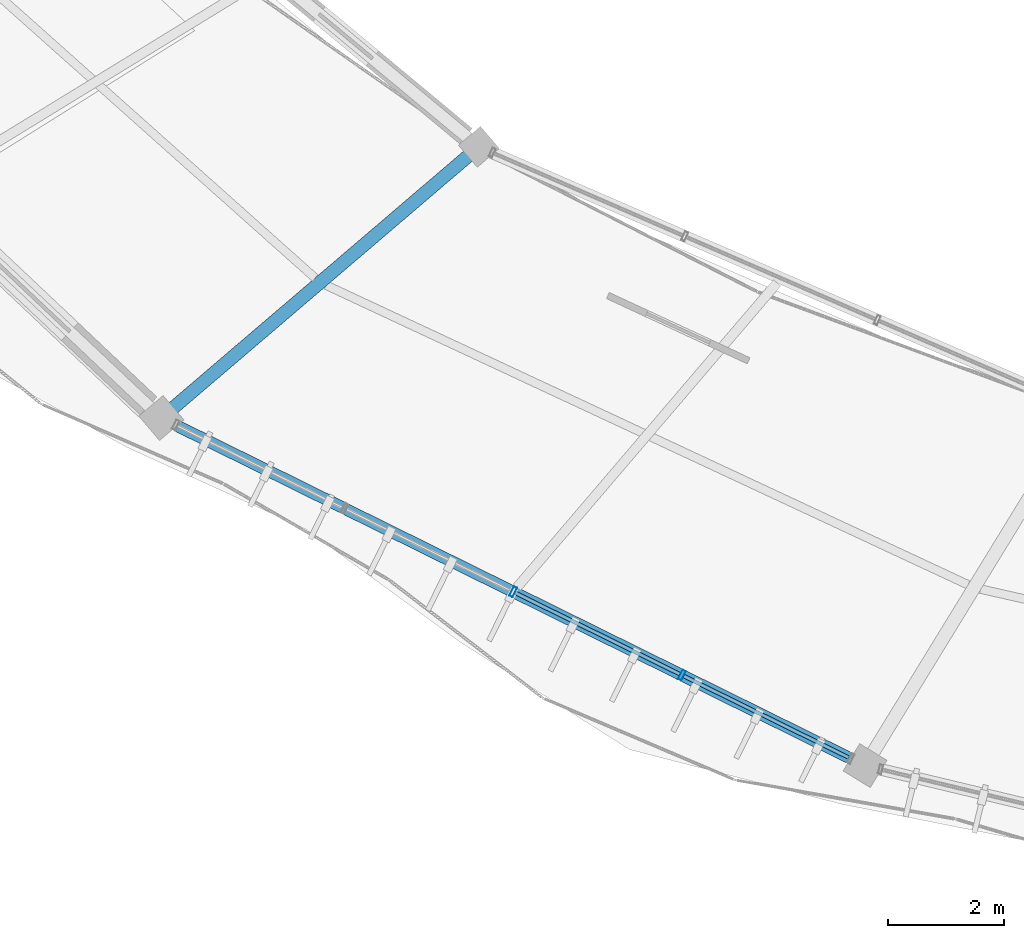
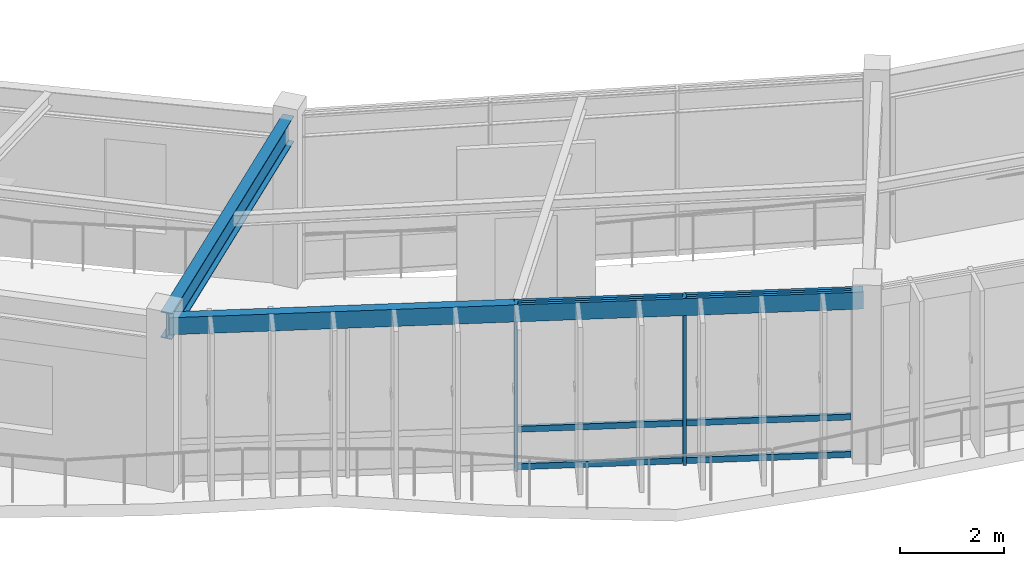
# One storey, part 3 of 79: 8 members, 2 beams, 1 element without a shape of its own.
"""IFC4 building model written with IfcOpenShell, lengths in metres."""

from ifc_helpers import new_model, si_unit, direction, frame, origin, origin_2d, place, context, subcontext, project, spatial, hollow_rectangle, i_section, extrude, material, material_profile, profile_set, type_object, element, aggregate, save


model = new_model("IFC4")

# Units and contexts
model_context = context("Model", 3, precision=1e-05, world=origin(), true_north=direction((0.0, 1.0)))
body_context = subcontext(model_context, "Body", "Model", "MODEL_VIEW")
ifc_project = project(units=[si_unit("LENGTHUNIT", "METRE"), si_unit("AREAUNIT", "SQUARE_METRE"), si_unit("VOLUMEUNIT", "CUBIC_METRE"), si_unit("PLANEANGLEUNIT", "RADIAN"), si_unit("MASSUNIT", "GRAM", prefix="KILO"), si_unit("THERMODYNAMICTEMPERATUREUNIT", "KELVIN"), si_unit("POWERUNIT", "WATT")], contexts=[model_context])

# Site, building, storey
site_placement = place(None, origin())
site = spatial("IfcSite", under=ifc_project, at=site_placement, CompositionType="ELEMENT")
building_placement = place(site_placement, origin())
building = spatial("IfcBuilding", under=site, at=building_placement, Name="Darbajah Civic Hall", CompositionType="ELEMENT")
storey_placement = place(building_placement, frame((0.0, 0.0, 22.199951171875)))
storey = spatial("IfcBuildingStorey", under=building, at=storey_placement, Name="L05", CompositionType="ELEMENT", Elevation=22.199951171875)

# Curtain wall, members
ifc_material_1 = material(Name="Anodised Bronze Aluminium and Low-E Glazing", Category="aluminium")
curtain_wall_type = type_object("IfcCurtainWallType", Name="Unitised Curtain Wall CW-83 13000x3900", PredefinedType="USERDEFINED", material=ifc_material_1)
curtain_wall_placement = place(storey_placement, origin())
curtain_wall = element("IfcCurtainWall", 1, at=curtain_wall_placement, inside=storey, type_object=curtain_wall_type, Name="L05 unitised curtain wall CW-V1O-L05-12", ObjectType="UNITISED CURTAIN WALL", PredefinedType="USERDEFINED")
ifc_material_2 = material(Name="Anodised Bronze Aluminium", Category="aluminium")
ifc_material_profile_1 = material_profile(ifc_material_2, hollow_rectangle(XDim=0.06494140625, YDim=0.179931640625, WallThickness=0.00390625, at=origin_2d()), Name="ALU MULLION 65x180")
ifc_profile_set_1 = profile_set([ifc_material_profile_1], Name="Anodised Bronze Aluminium")
member_type_1 = type_object("IfcMemberType", Name="ALU MULLION 65x180", PredefinedType="MULLION", material=ifc_profile_set_1)
member_1_placement = place(storey_placement, frame((56.385986328125, 67.644287109375, 0.0), z_axis=(0.0, 0.0, 1.0), x_axis=(0.89656374724, -0.442914717678, 0.0)))
member_1 = element("IfcMember", 2, at=member_1_placement, type_object=member_type_1, Name="CW-V1O-L05-12 mullion 3", PredefinedType="MULLION", context=body_context, shape_type="SweptSolid", body=[
    extrude(hollow_rectangle(XDim=0.06494140625, YDim=0.179931640625, WallThickness=0.00390625, at=origin_2d()), origin(), (0.0, 0.0, 1.0), 3.920166015625),
])
member_2_placement = place(storey_placement, frame((59.295166015625, 66.20703125, 0.0), z_axis=(0.0, 0.0, 1.0), x_axis=(0.89656374724, -0.442914717678, 0.0)))
member_2 = element("IfcMember", 3, at=member_2_placement, type_object=member_type_1, Name="CW-V1O-L05-12 mullion 4", PredefinedType="MULLION", context=body_context, shape_type="SweptSolid", body=[
    extrude(hollow_rectangle(XDim=0.06494140625, YDim=0.179931640625, WallThickness=0.00390625, at=origin_2d()), origin(), (0.0, 0.0, 1.0), 3.920166015625),
])
ifc_material_profile_2 = material_profile(ifc_material_2, hollow_rectangle(XDim=0.06494140625, YDim=0.139892578125, WallThickness=0.00341796875, at=origin_2d()), Name="ALU TRANSOM 65x140")
ifc_profile_set_2 = profile_set([ifc_material_profile_2], Name="Anodised Bronze Aluminium")
member_type_2 = type_object("IfcMemberType", Name="ALU TRANSOM 65x140", PredefinedType="USERDEFINED", material=ifc_profile_set_2)
member_3_placement = place(storey_placement, frame((56.419677734375, 67.627685546875, 0.070068359375), z_axis=(0.896542909265, -0.44295689615, 0.0), x_axis=(0.44295689615, 0.896542909265, 0.0)))
member_3 = element("IfcMember", 4, at=member_3_placement, type_object=member_type_2, Name="CW-V1O-L05-12 transom 3.1", ObjectType="TRANSOM", PredefinedType="USERDEFINED", context=body_context, shape_type="SweptSolid", body=[
    extrude(hollow_rectangle(XDim=0.06494140625, YDim=0.139892578125, WallThickness=0.00341796875, at=origin_2d()), origin(), (0.0, 0.0, 1.0), 3.169677734375),
])
member_4_placement = place(storey_placement, frame((56.419677734375, 67.627685546875, 0.949951171875), z_axis=(0.896542909265, -0.44295689615, 0.0), x_axis=(0.44295689615, 0.896542909265, 0.0)))
member_4 = element("IfcMember", 5, at=member_4_placement, type_object=member_type_2, Name="CW-V1O-L05-12 transom 3.2", ObjectType="TRANSOM", PredefinedType="USERDEFINED", context=body_context, shape_type="SweptSolid", body=[
    extrude(hollow_rectangle(XDim=0.06494140625, YDim=0.139892578125, WallThickness=0.00341796875, at=origin_2d()), origin(), (0.0, 0.0, 1.0), 3.169677734375),
])
member_5_placement = place(storey_placement, frame((56.419677734375, 67.627685546875, 3.85009765625), z_axis=(0.896542909265, -0.44295689615, 0.0), x_axis=(0.44295689615, 0.896542909265, 0.0)))
member_5 = element("IfcMember", 6, at=member_5_placement, type_object=member_type_2, Name="CW-V1O-L05-12 transom 3.3", ObjectType="TRANSOM", PredefinedType="USERDEFINED", context=body_context, shape_type="SweptSolid", body=[
    extrude(hollow_rectangle(XDim=0.06494140625, YDim=0.139892578125, WallThickness=0.00341796875, at=origin_2d()), origin(), (0.0, 0.0, 1.0), 3.169677734375),
])
member_6_placement = place(storey_placement, frame((59.32861328125, 66.1904296875, 0.070068359375), z_axis=(0.896558020364, -0.442926310035, 0.0), x_axis=(0.442926310035, 0.896558020364, 0.0)))
member_6 = element("IfcMember", 7, at=member_6_placement, type_object=member_type_2, Name="CW-V1O-L05-12 transom 4.1", ObjectType="TRANSOM", PredefinedType="USERDEFINED", context=body_context, shape_type="SweptSolid", body=[
    extrude(hollow_rectangle(XDim=0.06494140625, YDim=0.139892578125, WallThickness=0.00341796875, at=origin_2d()), origin(), (0.0, 0.0, 1.0), 3.169921875),
])
member_7_placement = place(storey_placement, frame((59.32861328125, 66.1904296875, 0.949951171875), z_axis=(0.896558020364, -0.442926310035, 0.0), x_axis=(0.442926310035, 0.896558020364, 0.0)))
member_7 = element("IfcMember", 8, at=member_7_placement, type_object=member_type_2, Name="CW-V1O-L05-12 transom 4.2", ObjectType="TRANSOM", PredefinedType="USERDEFINED", context=body_context, shape_type="SweptSolid", body=[
    extrude(hollow_rectangle(XDim=0.06494140625, YDim=0.139892578125, WallThickness=0.00341796875, at=origin_2d()), origin(), (0.0, 0.0, 1.0), 3.169921875),
])
member_8_placement = place(storey_placement, frame((59.32861328125, 66.1904296875, 3.85009765625), z_axis=(0.896558020364, -0.442926310035, 0.0), x_axis=(0.442926310035, 0.896558020364, 0.0)))
member_8 = element("IfcMember", 9, at=member_8_placement, type_object=member_type_2, Name="CW-V1O-L05-12 transom 4.3", ObjectType="TRANSOM", PredefinedType="USERDEFINED", context=body_context, shape_type="SweptSolid", body=[
    extrude(hollow_rectangle(XDim=0.06494140625, YDim=0.139892578125, WallThickness=0.00341796875, at=origin_2d()), origin(), (0.0, 0.0, 1.0), 3.169921875),
])
aggregate(curtain_wall, [member_1, member_2, member_3, member_4, member_5, member_6, member_7, member_8])

# Beams
ifc_material_3 = material(Name="Steel S355JR", Category="steel")
ifc_material_profile_3 = material_profile(ifc_material_3, hollow_rectangle(XDim=0.199951171875, YDim=0.39990234375, WallThickness=0.013916015625, at=origin_2d()), Name="RHS 400x200x14")
ifc_profile_set_3 = profile_set([ifc_material_profile_3], Name="Steel S355JR")
beam_type_1 = type_object("IfcBeamType", Name="RHS 400x200x14", PredefinedType="SPANDREL", material=ifc_profile_set_3)
beam_1_placement = place(storey_placement, frame((50.39111328125, 70.60595703125, 3.719970703125), z_axis=(0.896556568061, -0.442929249731, 0.0), x_axis=(0.442929249731, 0.896556568061, 0.0)))
element("IfcBeam", 10, at=beam_1_placement, inside=storey, type_object=beam_type_1, Name="L05 beam SP-RHS400", PredefinedType="SPANDREL", context=body_context, shape_type="SweptSolid", body=[
    extrude(hollow_rectangle(XDim=0.199951171875, YDim=0.39990234375, WallThickness=0.013916015625, at=origin_2d()), origin(), (0.0, 0.0, 1.0), 13.373046875),
])
ifc_material_profile_4 = material_profile(ifc_material_3, i_section(OverallWidth=0.228271484375, OverallDepth=0.607666015625, WebThickness=0.010986328125, FlangeThickness=0.017333984375, FilletRadius=0.0126953125, at=origin_2d()), Name="UB 610x229x113")
ifc_profile_set_4 = profile_set([ifc_material_profile_4], Name="Steel S355JR")
beam_type_2 = type_object("IfcBeamType", Name="UB 610x229x113", PredefinedType="BEAM", material=ifc_profile_set_4)
beam_2_placement = place(storey_placement, frame((55.7333984375, 75.265380859375, 3.6162109375), z_axis=(-0.760413281686, -0.649439482197, 0.0), x_axis=(0.649439482197, -0.760413281686, 0.0)))
element("IfcBeam", 11, at=beam_2_placement, inside=storey, type_object=beam_type_2, Name="L05 beam SB-610", PredefinedType="BEAM", context=body_context, shape_type="SweptSolid", body=[
    extrude(i_section(OverallWidth=0.228271484375, OverallDepth=0.607666015625, WebThickness=0.010986328125, FlangeThickness=0.017333984375, FilletRadius=0.0126953125, at=origin_2d()), origin(), (0.0, 0.0, 1.0), 7.0400390625),
])

save(model, "model.ifc")
